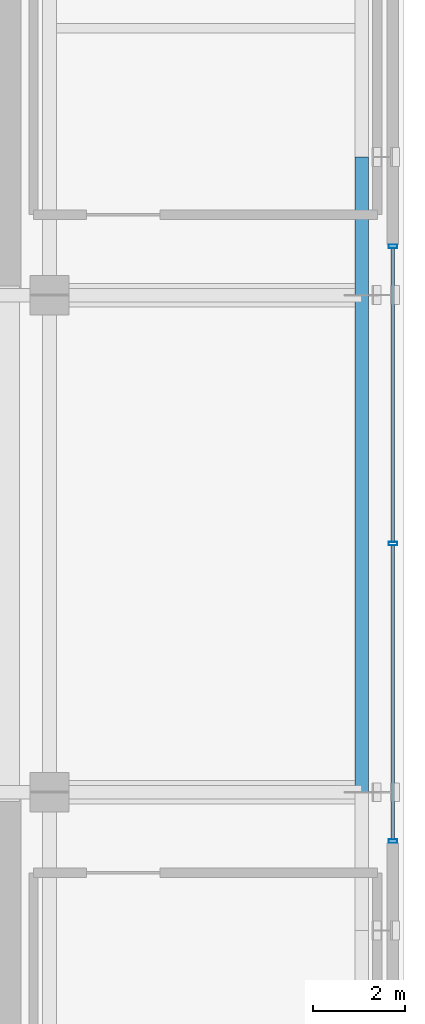
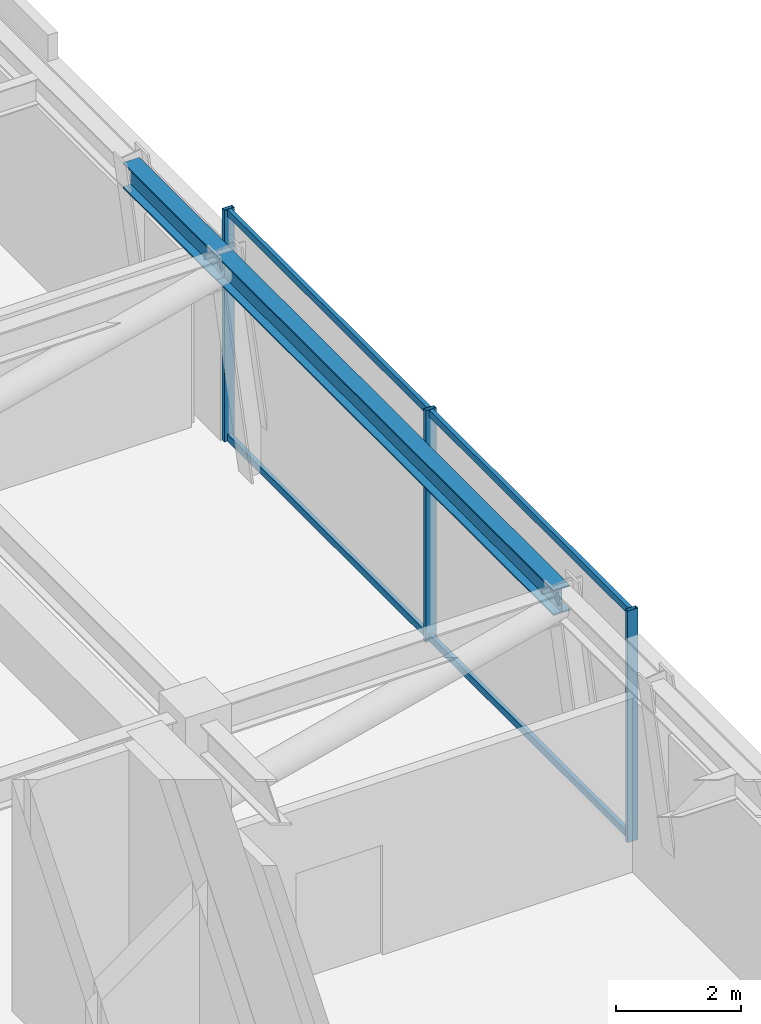
# One storey, part 5 of 17: 7 members, 2 beams, 1 element without a shape of its own.
"""IFC4 building model written with IfcOpenShell, lengths in metres."""

from ifc_helpers import new_model, si_unit, direction, frame, origin, origin_2d, place, context, subcontext, project, spatial, hollow_rectangle, i_section, extrude, source, transform, mapped, material, material_profile, profile_set, type_object, element, aggregate, save


model = new_model("IFC4")

# Units and contexts
model_context = context("Model", 3, precision=1e-05, world=origin(), true_north=direction((0.0, 1.0)))
body_context = subcontext(model_context, "Body", "Model", "MODEL_VIEW")
ifc_project = project(units=[si_unit("LENGTHUNIT", "METRE"), si_unit("AREAUNIT", "SQUARE_METRE"), si_unit("VOLUMEUNIT", "CUBIC_METRE"), si_unit("PLANEANGLEUNIT", "RADIAN"), si_unit("MASSUNIT", "GRAM", prefix="KILO")], contexts=[model_context])

# Site, building, storey
site_placement = place(None, origin())
site = spatial("IfcSite", under=ifc_project, at=site_placement, CompositionType="ELEMENT")
building_placement = place(site_placement, origin())
building = spatial("IfcBuilding", under=site, at=building_placement, Name="Nahalor Promenade Grand Hotel", CompositionType="ELEMENT")
storey_placement = place(building_placement, frame((0.0, 0.0, 83.5)))
storey = spatial("IfcBuildingStorey", under=building, at=storey_placement, Name="L20", CompositionType="ELEMENT", Elevation=83.5)

# Beams
ifc_material_1 = material(Name="Steel S355JR", Category="steel")
ifc_material_profile_1 = material_profile(ifc_material_1, i_section(OverallWidth=0.3, OverallDepth=0.5, WebThickness=0.0145, FlangeThickness=0.028, at=origin_2d()), Name="HEB 500")
ifc_profile_set_1 = profile_set([ifc_material_profile_1], Name="Steel S355JR")
beam_type = type_object("IfcBeamType", Name="Beam-Spandrel-HEB500", PredefinedType="SPANDREL", material=ifc_profile_set_1)
shared_shape_1 = source(origin(), body_context, "Body", "SweptSolid", [
    extrude(i_section(OverallWidth=0.3, OverallDepth=0.5, WebThickness=0.0145, FlangeThickness=0.028, at=origin_2d()), origin(), (0.0, 0.0, 1.0), 3.0),
])
beam_1_placement = place(storey_placement, frame((23.780029296875, 5.39990234375, 4.280029296875), z_axis=(0.0, 1.0, 0.0), x_axis=(-1.0, 0.0, 0.0)))
element("IfcBeam", 1, at=beam_1_placement, inside=storey, type_object=beam_type, Name="BM-L20-SP-E-3", PredefinedType="SPANDREL", context=body_context, shape_type="MappedRepresentation", body=[
    mapped(shared_shape_1, transform((0.0, 0.0, 0.0), scale=1.0)),
])
shared_shape_2 = source(origin(), body_context, "Body", "SweptSolid", [
    extrude(i_section(OverallWidth=0.3, OverallDepth=0.5, WebThickness=0.0145, FlangeThickness=0.028, at=origin_2d()), origin(), (0.0, 0.0, 1.0), 10.7998046875),
])
beam_2_placement = place(storey_placement, frame((23.780029296875, -5.39990234375, 4.280029296875), z_axis=(0.0, 1.0, 0.0), x_axis=(-1.0, 0.0, 0.0)))
element("IfcBeam", 2, at=beam_2_placement, inside=storey, type_object=beam_type, Name="BM-L20-SP-E-2", PredefinedType="SPANDREL", context=body_context, shape_type="MappedRepresentation", body=[
    mapped(shared_shape_2, transform((0.0, 0.0, 0.0), scale=1.0)),
])

# Curtain wall, members
ifc_material_2 = material(Name="Anodised Bronze Aluminium EN AW-6063 T6", Category="aluminium")
curtain_wall_type = type_object("IfcCurtainWallType", Name="CW6 Crown Botanical Conservatory Curtain Wall", PredefinedType="USERDEFINED", material=ifc_material_2)
curtain_wall_placement = place(storey_placement, origin())
curtain_wall = element("IfcCurtainWall", 3, at=curtain_wall_placement, inside=storey, type_object=curtain_wall_type, Name="L20 Curtain Wall CW-L20-E", ObjectType="UNITISED_CURTAIN_WALL", PredefinedType="USERDEFINED")
ifc_material_profile_2 = material_profile(ifc_material_2, hollow_rectangle(XDim=0.075, YDim=0.19, WallThickness=0.005, at=origin_2d()), Name="CWM 75x190x5")
ifc_profile_set_2 = profile_set([ifc_material_profile_2], Name="Anodised Bronze Aluminium EN AW-6063 T6")
member_type_1 = type_object("IfcMemberType", Name="CWM6 Conservatory Bronze Mullion 75x190", PredefinedType="MULLION", material=ifc_profile_set_2)
shared_shape_3 = source(origin(), body_context, "Body", "SweptSolid", [
    extrude(hollow_rectangle(XDim=0.075, YDim=0.19, WallThickness=0.005, at=origin_2d()), origin(), (0.0, 0.0, 1.0), 4.530029296875),
])
member_1_placement = place(storey_placement, frame((24.4599609375, -6.46240234375, 0.0), z_axis=(0.0, 0.0, 1.0), x_axis=(0.0, 1.0, 0.0)))
member_1 = element("IfcMember", 4, at=member_1_placement, type_object=member_type_1, Name="CW-L20-E Mullion 0", PredefinedType="MULLION", context=body_context, shape_type="MappedRepresentation", body=[
    mapped(shared_shape_3, transform((0.0, 0.0, 0.0), scale=1.0)),
])
member_2_placement = place(storey_placement, frame((24.4599609375, 0.0, 0.0), z_axis=(0.0, 0.0, 1.0), x_axis=(0.0, 1.0, 0.0)))
member_2 = element("IfcMember", 5, at=member_2_placement, type_object=member_type_1, Name="CW-L20-E Mullion 1", PredefinedType="MULLION", context=body_context, shape_type="MappedRepresentation", body=[
    mapped(shared_shape_3, transform((0.0, 0.0, 0.0), scale=1.0)),
])
member_3_placement = place(storey_placement, frame((24.4599609375, 6.46240234375, 0.0), z_axis=(0.0, 0.0, 1.0), x_axis=(0.0, 1.0, 0.0)))
member_3 = element("IfcMember", 6, at=member_3_placement, type_object=member_type_1, Name="CW-L20-E Mullion 2", PredefinedType="MULLION", context=body_context, shape_type="MappedRepresentation", body=[
    mapped(shared_shape_3, transform((0.0, 0.0, 0.0), scale=1.0)),
])
ifc_material_profile_3 = material_profile(ifc_material_2, hollow_rectangle(XDim=0.075, YDim=0.135, WallThickness=0.004, at=origin_2d()), Name="CWT 75x135x4")
ifc_profile_set_3 = profile_set([ifc_material_profile_3], Name="Anodised Bronze Aluminium EN AW-6063 T6")
member_type_2 = type_object("IfcMemberType", Name="CWT6 Conservatory Transom 75x135", PredefinedType="USERDEFINED", material=ifc_profile_set_3)
shared_shape_4 = source(origin(), body_context, "Body", "SweptSolid", [
    extrude(hollow_rectangle(XDim=0.075, YDim=0.135, WallThickness=0.004, at=origin_2d()), origin(), (0.0, 0.0, 1.0), 6.387451171875),
])
member_4_placement = place(storey_placement, frame((24.4599609375, -6.425048828125, 0.0673828125), z_axis=(0.0, 1.0, 0.0), x_axis=(-1.0, 0.0, 0.0)))
member_4 = element("IfcMember", 7, at=member_4_placement, type_object=member_type_2, Name="CW-L20-E Transom 0-0", ObjectType="TRANSOM", PredefinedType="USERDEFINED", context=body_context, shape_type="MappedRepresentation", body=[
    mapped(shared_shape_4, transform((0.0, 0.0, 0.0), scale=1.0)),
])
member_5_placement = place(storey_placement, frame((24.4599609375, -6.425048828125, 4.46240234375), z_axis=(0.0, 1.0, 0.0), x_axis=(-1.0, 0.0, 0.0)))
member_5 = element("IfcMember", 8, at=member_5_placement, type_object=member_type_2, Name="CW-L20-E Transom 0-1", ObjectType="TRANSOM", PredefinedType="USERDEFINED", context=body_context, shape_type="MappedRepresentation", body=[
    mapped(shared_shape_4, transform((0.0, 0.0, 0.0), scale=1.0)),
])
member_6_placement = place(storey_placement, frame((24.4599609375, 0.03759765625, 0.0673828125), z_axis=(0.0, 1.0, 0.0), x_axis=(-1.0, 0.0, 0.0)))
member_6 = element("IfcMember", 9, at=member_6_placement, type_object=member_type_2, Name="CW-L20-E Transom 1-0", ObjectType="TRANSOM", PredefinedType="USERDEFINED", context=body_context, shape_type="MappedRepresentation", body=[
    mapped(shared_shape_4, transform((0.0, 0.0, 0.0), scale=1.0)),
])
member_7_placement = place(storey_placement, frame((24.4599609375, 0.03759765625, 4.46240234375), z_axis=(0.0, 1.0, 0.0), x_axis=(-1.0, 0.0, 0.0)))
member_7 = element("IfcMember", 10, at=member_7_placement, type_object=member_type_2, Name="CW-L20-E Transom 1-1", ObjectType="TRANSOM", PredefinedType="USERDEFINED", context=body_context, shape_type="MappedRepresentation", body=[
    mapped(shared_shape_4, transform((0.0, 0.0, 0.0), scale=1.0)),
])
aggregate(curtain_wall, [member_1, member_2, member_3, member_4, member_5, member_6, member_7])

save(model, "model.ifc")
